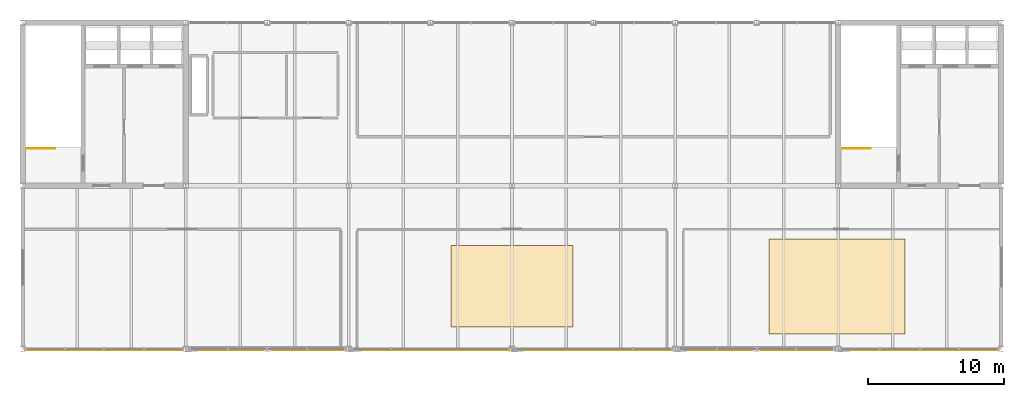
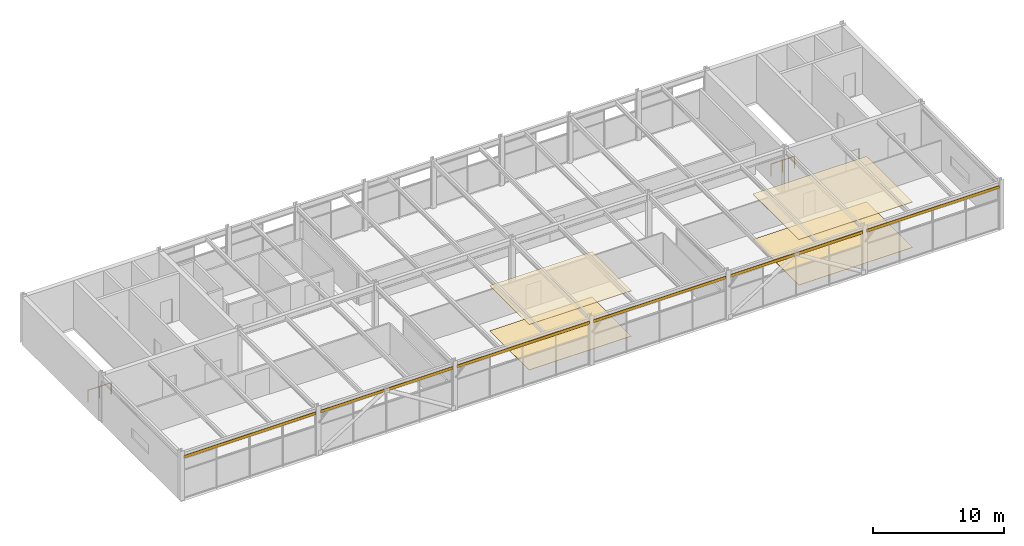
# One storey, part 28 of 28: 6 shading devices, 4 coverings, 2 railings.
"""IFC4 building model written with IfcOpenShell, lengths in metres."""

from ifc_helpers import new_model, si_unit, direction, frame, origin, origin_2d, place, context, subcontext, project, spatial, rectangle, circle, extrude, material, layer, layer_set, type_object, element, save


model = new_model("IFC4")

# Units and contexts
model_context = context("Model", 3, precision=1e-05, world=origin(), true_north=direction((0.0, 1.0)))
body_context = subcontext(model_context, "Body", "Model", "MODEL_VIEW")
ifc_project = project(units=[si_unit("LENGTHUNIT", "METRE"), si_unit("AREAUNIT", "SQUARE_METRE"), si_unit("VOLUMEUNIT", "CUBIC_METRE"), si_unit("PLANEANGLEUNIT", "RADIAN"), si_unit("MASSUNIT", "GRAM", prefix="KILO")], contexts=[model_context])

# Site, building, storey
site_placement = place(None, origin())
site = spatial("IfcSite", under=ifc_project, at=site_placement, CompositionType="ELEMENT")
building_placement = place(site_placement, origin())
building = spatial("IfcBuilding", under=site, at=building_placement, Name="Girod Span Mobility Hub", CompositionType="ELEMENT")
storey_placement = place(building_placement, frame((0.0, 0.0, 69.60009765625)))
storey = spatial("IfcBuildingStorey", under=building, at=storey_placement, Name="L17", CompositionType="ELEMENT", Elevation=69.60009765625)

# Coverings
ifc_material_1 = material(Name="Perforated Mineral-Fibre Acoustic Ceiling Tile", Category="mineral")
ifc_layer_1 = layer(ifc_material_1, 0.050048828125)
ifc_layer_set_1 = layer_set([ifc_layer_1], Name="Perforated Mineral-Fibre Acoustic Ceiling Tile")
covering_type_1 = type_object("IfcCoveringType", Name="COV-CLG-1000X700", PredefinedType="CEILING", material=ifc_layer_set_1)
covering_1_placement = place(storey_placement, frame((107.89990234375, 49.60009765625, 4.205078125), z_axis=(0.0, 0.0, 1.0), x_axis=(1.0, 0.0, 0.0)))
element("IfcCovering", 1, at=covering_1_placement, inside=storey, type_object=covering_type_1, Name="Office Suite Director Acoustic Ceiling", PredefinedType="CEILING", context=body_context, shape_type="SweptSolid", body=[
    extrude(rectangle(XDim=10.0, YDim=7.0, at=origin_2d()), origin(), (0.0, 0.0, 1.0), 0.050048828125),
])
ifc_material_2 = material(Name="Perforated Mineral-Fibre Acoustic Ceiling Tile", Category="mineral")
ifc_layer_2 = layer(ifc_material_2, 0.044921875)
ifc_layer_set_2 = layer_set([ifc_layer_2], Name="Perforated Mineral-Fibre Acoustic Ceiling Tile")
covering_type_2 = type_object("IfcCoveringType", Name="COV-CLG-900X600", PredefinedType="CEILING", material=ifc_layer_set_2)
covering_2_placement = place(storey_placement, frame((84.0, 49.60009765625, 4.204833984375), z_axis=(0.0, 0.0, 1.0), x_axis=(1.0, 0.0, 0.0)))
element("IfcCovering", 2, at=covering_2_placement, inside=storey, type_object=covering_type_2, Name="Boardroom Civic Mobility Commission Acoustic Ceiling", PredefinedType="CEILING", context=body_context, shape_type="SweptSolid", body=[
    extrude(rectangle(XDim=9.0, YDim=6.0, at=origin_2d()), origin(), (0.0, 0.0, 1.0), 0.044921875),
])
ifc_material_3 = material(Name="Epoxy Terrazzo and Raised Access Flooring", Category="polymer")
ifc_layer_3 = layer(ifc_material_3, 0.02490234375)
ifc_layer_set_3 = layer_set([ifc_layer_3], Name="Epoxy Terrazzo and Raised Access Flooring")
covering_type_3 = type_object("IfcCoveringType", Name="COV-FLR-1000X700", PredefinedType="FLOORING", material=ifc_layer_set_3)
covering_3_placement = place(storey_placement, frame((107.89990234375, 49.60009765625, 0.0), z_axis=(0.0, 0.0, 1.0), x_axis=(1.0, 0.0, 0.0)))
element("IfcCovering", 3, at=covering_3_placement, inside=storey, type_object=covering_type_3, Name="Office Suite Director Floor Finish", PredefinedType="FLOORING", context=body_context, shape_type="SweptSolid", body=[
    extrude(rectangle(XDim=10.0, YDim=7.0, at=origin_2d()), origin(), (0.0, 0.0, 1.0), 0.02490234375),
])
ifc_material_4 = material(Name="Epoxy Terrazzo and Raised Access Flooring", Category="polymer")
ifc_layer_4 = layer(ifc_material_4, 0.030029296875)
ifc_layer_set_4 = layer_set([ifc_layer_4], Name="Epoxy Terrazzo and Raised Access Flooring")
covering_type_4 = type_object("IfcCoveringType", Name="COV-FLR-900X600", PredefinedType="FLOORING", material=ifc_layer_set_4)
covering_4_placement = place(storey_placement, frame((84.0, 49.60009765625, 0.0), z_axis=(0.0, 0.0, 1.0), x_axis=(1.0, 0.0, 0.0)))
element("IfcCovering", 4, at=covering_4_placement, inside=storey, type_object=covering_type_4, Name="Boardroom Civic Mobility Commission Floor Finish", PredefinedType="FLOORING", context=body_context, shape_type="SweptSolid", body=[
    extrude(rectangle(XDim=9.0, YDim=6.0, at=origin_2d()), origin(), (0.0, 0.0, 1.0), 0.030029296875),
])

# Railings
ifc_material_5 = material(Name="Painted Galvanised Steel", Category="steel")
ifc_layer_5 = layer(ifc_material_5, 0.06494140625)
ifc_layer_set_5 = layer_set([ifc_layer_5], Name="Painted Galvanised Steel")
railing_type = type_object("IfcRailingType", Name="RL-GRD-1120", PredefinedType="GUARDRAIL", material=ifc_layer_set_5)
for number, where, name in (
    (5, (48.320068359375, 59.739990234375, 0.0), "Stair ST-1 Top Landing Guardrail L17"),
    (6, (108.320068359375, 59.739990234375, 0.0), "Stair ST-2 Top Landing Guardrail L17"),
):
    element("IfcRailing", number, at=place(storey_placement, frame(where)), inside=storey, type_object=railing_type, Name=name, PredefinedType="GUARDRAIL", context=body_context, shape_type="SweptSolid", body=[
        extrude(circle(Radius=0.02392578125, at=origin_2d()), frame((0.0, 0.0, 1.09619140625), z_axis=(1.0, 0.0, 0.0), x_axis=(0.0, 1.0, 0.0)), (0.0, 0.0, 1.0), 2.059814453125),
        extrude(circle(Radius=0.02099609375, at=origin_2d()), origin(), (0.0, 0.0, 1.0), 1.072021484375),
        extrude(circle(Radius=0.02099609375, at=origin_2d()), frame((1.02978515625, 0.0, 0.0)), (0.0, 0.0, 1.0), 1.072021484375),
        extrude(circle(Radius=0.02099609375, at=origin_2d()), frame((2.059814453125, 0.0, 0.0)), (0.0, 0.0, 1.0), 1.072021484375),
    ])

# Shading devices
ifc_material_6 = material(Name="Aluminium 6063-T6", Category="aluminium")
ifc_layer_6 = layer(ifc_material_6, 0.0458984375)
ifc_layer_set_6 = layer_set([ifc_layer_6], Name="Aluminium 6063-T6")
shading_device_type = type_object("IfcShadingDeviceType", Name="SHD-SHT-11635X260X46", PredefinedType="SHUTTER", material=ifc_layer_set_6)
for number, where, z_axis, x_axis, name in (
    (7, (54.0, 44.919921875, 3.81591796875), (0.0, 0.0, 1.0), (1.0, 0.0, 0.0), "External Solar Shading Blade 5 L17"),
    (8, (66.0, 44.919921875, 3.81591796875), (0.0, 0.0, 1.0), (1.0, 0.0, 0.0), "External Solar Shading Blade 6 L17"),
    (9, (78.0, 44.919921875, 3.81591796875), (0.0, 0.0, 1.0), (1.0, 0.0, 0.0), "External Solar Shading Blade 7 L17"),
    (10, (90.0, 44.919921875, 3.81591796875), (0.0, 0.0, 1.0), (1.0, 0.0, 0.0), "External Solar Shading Blade 8 L17"),
    (11, (102.0, 44.919921875, 3.81591796875), (0.0, 0.0, 1.0), (1.0, 0.0, 0.0), "External Solar Shading Blade 9 L17"),
    (12, (114.0, 44.919921875, 3.81591796875), (0.0, 0.0, 1.0), (1.0, 0.0, 0.0), "External Solar Shading Blade 10 L17"),
):
    element("IfcShadingDevice", number, at=place(storey_placement, frame(where, z_axis=z_axis, x_axis=x_axis)), inside=storey, type_object=shading_device_type, Name=name, PredefinedType="SHUTTER", context=body_context, shape_type="SweptSolid", body=[
        extrude(rectangle(XDim=11.635009765625, YDim=0.0458984375, at=origin_2d()), origin(), (0.0, 0.0, 1.0), 0.260009765625),
    ])

save(model, "model.ifc")
